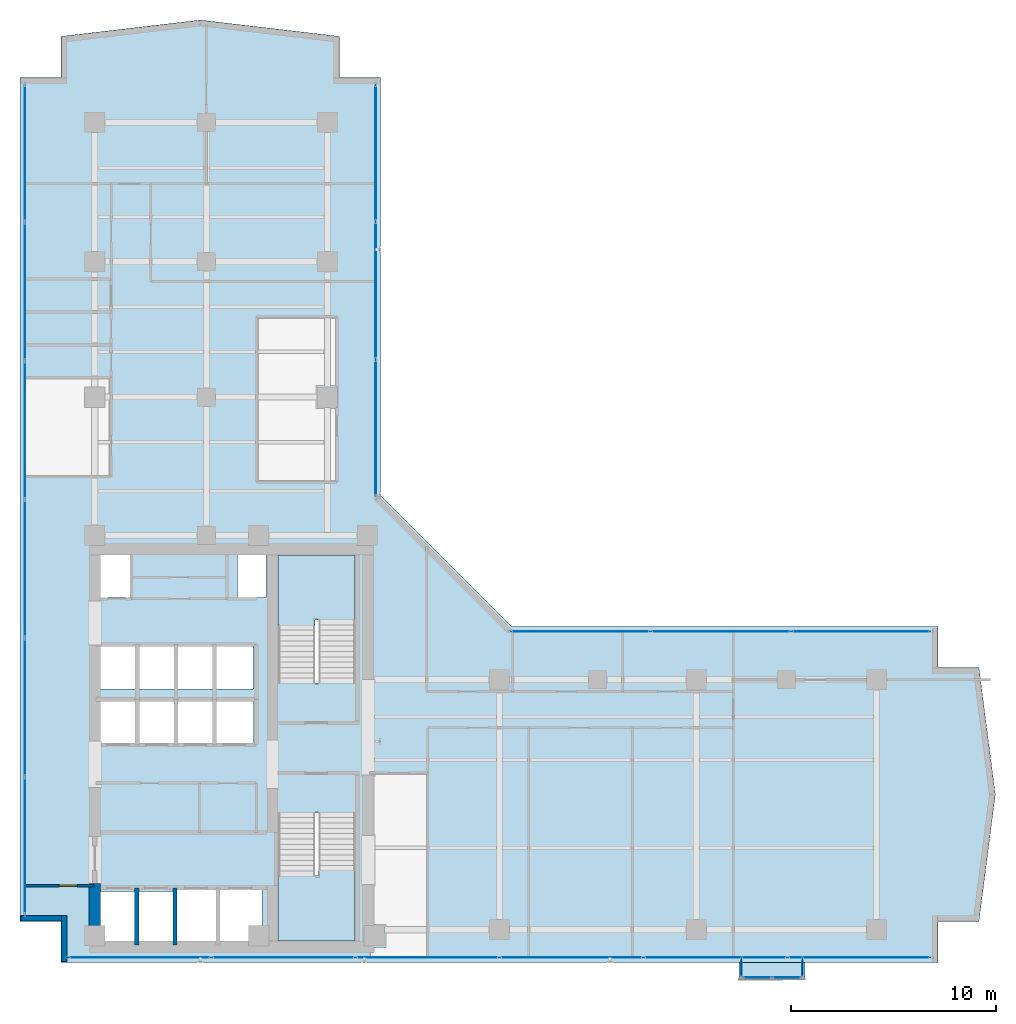
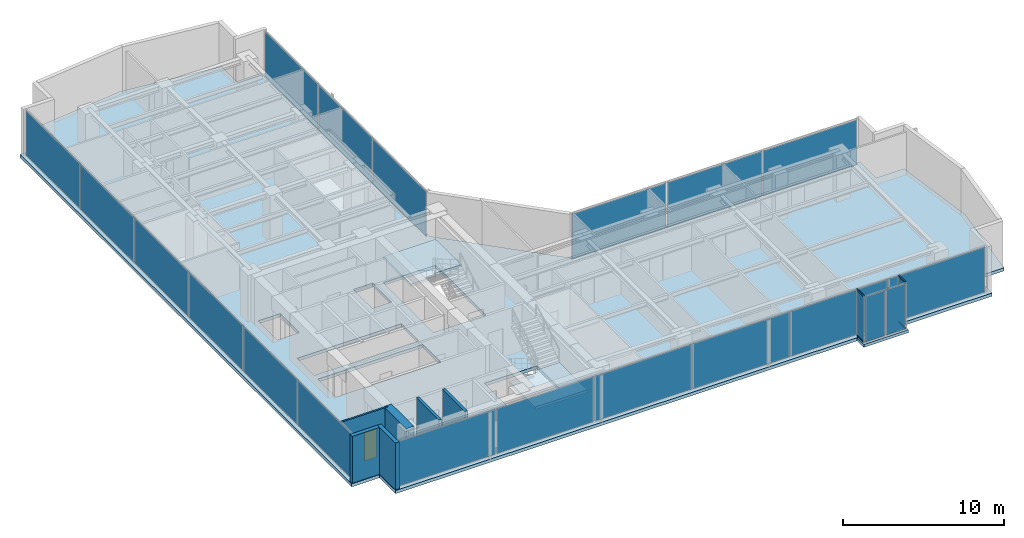
# One storey, part 15 of 23: 22 plates, 6 walls, 4 members, 4 slabs, 1 door, 1 opening, 9 elements without a shape of their own.
"""IFC4 building model written with IfcOpenShell, lengths in metres."""

from ifc_helpers import new_model, si_unit, direction, frame, frame_2d, origin, origin_with_axes, origin_2d, place, context, subcontext, project, spatial, polyline, rectangle, hollow_rectangle, outline, extrude, source, transform, mapped, material, layer, layer_set, material_profile, profile_set, type_object, element, fill, aggregate, save


model = new_model("IFC4")

# Units and contexts
model_context = context("Model", 3, precision=1e-05, world=origin(), true_north=direction((0.0, 1.0)))
body_context = subcontext(model_context, "Body", "Model", "MODEL_VIEW")
ifc_project = project(units=[si_unit("LENGTHUNIT", "METRE"), si_unit("AREAUNIT", "SQUARE_METRE"), si_unit("VOLUMEUNIT", "CUBIC_METRE"), si_unit("PLANEANGLEUNIT", "RADIAN"), si_unit("MASSUNIT", "GRAM", prefix="KILO")], contexts=[model_context])

# Site, building, storey
site_placement = place(None, origin())
site = spatial("IfcSite", under=ifc_project, at=site_placement, CompositionType="ELEMENT")
building_placement = place(site_placement, origin())
building = spatial("IfcBuilding", under=site, at=building_placement, Name="Kolvaren Waterfront Exchange", CompositionType="ELEMENT")
storey_placement = place(building_placement, frame((0.0, 0.0, 212.10009765625)))
storey = spatial("IfcBuildingStorey", under=building, at=storey_placement, Name="L54", CompositionType="ELEMENT", Elevation=212.10009765625)

# Curtain wall, members
ifc_material_1 = material(Name="Anodised bronze aluminium 6063-T6", Category="aluminium")
ifc_layer_1 = layer(ifc_material_1, 0.219970703125, Name="Anodised bronze aluminium 6063-T6")
ifc_layer_set_1 = layer_set([ifc_layer_1], Name="Anodised bronze aluminium 6063-T6")
curtain_wall_type_1 = type_object("IfcCurtainWallType", Name="ARC-CW-SYS3", PredefinedType="USERDEFINED", material=ifc_layer_set_1)
curtain_wall_1_placement = place(storey_placement, origin())
curtain_wall_1 = element("IfcCurtainWall", 1, at=curtain_wall_1_placement, inside=storey, type_object=curtain_wall_type_1, Name="L54 stick curtain wall CW3 (CW-L54-BOX-W)", ObjectType="STICK CURTAIN WALL", PredefinedType="USERDEFINED")
ifc_material_profile = material_profile(ifc_material_1, hollow_rectangle(XDim=0.06494140625, YDim=0.1298828125, WallThickness=0.00390625, at=origin_2d()), Name="ALU-TRN-130x65x4")
ifc_profile_set = profile_set([ifc_material_profile], Name="Anodised bronze aluminium 6063-T6")
member_type = type_object("IfcMemberType", Name="ARC-CWT-130", PredefinedType="USERDEFINED", material=ifc_profile_set)
shared_shape_1 = source(origin_with_axes(), body_context, "Body", "SweptSolid", [
    extrude(hollow_rectangle(XDim=0.06494140625, YDim=0.1298828125, WallThickness=0.00390625, at=origin_2d()), origin(), (0.0, 0.0, 1.0), 0.829833984375),
])
member_1_placement = place(storey_placement, frame((39.010009765625, 3.764892578125, 0.032470703125), z_axis=(0.0, -1.0, 0.0), x_axis=(1.0, 0.0, 0.0)))
member_1 = element("IfcMember", 2, at=member_1_placement, type_object=member_type, Name="CW3 transom 1.1", ObjectType="TRANSOM", PredefinedType="USERDEFINED", context=body_context, shape_type="MappedRepresentation", body=[
    mapped(shared_shape_1, transform((0.0, 0.0, 0.0), x_axis=(1.0, 0.0, 0.0), y_axis=(0.0, 1.0, 0.0), z_axis=(0.0, 0.0, 1.0), scale=1.0)),
])
member_2_placement = place(storey_placement, frame((39.010009765625, 3.764892578125, 3.52734375), z_axis=(0.0, -1.0, 0.0), x_axis=(1.0, 0.0, 0.0)))
member_2 = element("IfcMember", 3, at=member_2_placement, type_object=member_type, Name="CW3 transom 1.2", ObjectType="TRANSOM", PredefinedType="USERDEFINED", context=body_context, shape_type="MappedRepresentation", body=[
    mapped(shared_shape_1, transform((0.0, 0.0, 0.0), x_axis=(1.0, 0.0, 0.0), y_axis=(0.0, 1.0, 0.0), z_axis=(0.0, 0.0, 1.0), scale=1.0)),
])

curtain_wall_2_placement = place(storey_placement, origin())
curtain_wall_2 = element("IfcCurtainWall", 4, at=curtain_wall_2_placement, inside=storey, type_object=curtain_wall_type_1, Name="L54 stick curtain wall CW3 (CW-L54-BOX-E)", ObjectType="STICK CURTAIN WALL", PredefinedType="USERDEFINED")
member_3_placement = place(storey_placement, frame((41.989990234375, 2.93505859375, 0.032470703125), z_axis=(0.0, 1.0, 0.0), x_axis=(-1.0, 0.0, 0.0)))
member_3 = element("IfcMember", 5, at=member_3_placement, type_object=member_type, Name="CW3 transom 1.1", ObjectType="TRANSOM", PredefinedType="USERDEFINED", context=body_context, shape_type="MappedRepresentation", body=[
    mapped(shared_shape_1, transform((0.0, 0.0, 0.0), x_axis=(1.0, 0.0, 0.0), y_axis=(0.0, 1.0, 0.0), z_axis=(0.0, 0.0, 1.0), scale=1.0)),
])
member_4_placement = place(storey_placement, frame((41.989990234375, 2.93505859375, 3.52734375), z_axis=(0.0, 1.0, 0.0), x_axis=(-1.0, 0.0, 0.0)))
member_4 = element("IfcMember", 6, at=member_4_placement, type_object=member_type, Name="CW3 transom 1.2", ObjectType="TRANSOM", PredefinedType="USERDEFINED", context=body_context, shape_type="MappedRepresentation", body=[
    mapped(shared_shape_1, transform((0.0, 0.0, 0.0), x_axis=(1.0, 0.0, 0.0), y_axis=(0.0, 1.0, 0.0), z_axis=(0.0, 0.0, 1.0), scale=1.0)),
])

# Stair, slab
ifc_material_2 = material(Name="Concrete C40/50", Category="concrete")
stair_type = type_object("IfcStairType", Name="ARC-STAIR-3800", PredefinedType="HALF_TURN_STAIR", material=ifc_material_2)
stair_1_placement = place(storey_placement, origin())
stair_1 = element("IfcStair", 7, at=stair_1_placement, inside=storey, type_object=stair_type, Name="L54 Smoke-proof exit stair ST1", PredefinedType="HALF_TURN_STAIR")
ifc_layer_2 = layer(ifc_material_2, 0.199951171875, Name="Concrete C40/50")
ifc_layer_set_2 = layer_set([ifc_layer_2], Name="Concrete C40/50")
slab_type_1 = type_object("IfcSlabType", Name="STR-LANDING-200", PredefinedType="LANDING", material=ifc_layer_set_2)
slab_1_placement = place(storey_placement, frame((0.0, 0.0, 1.77587890625)))
slab_1 = element("IfcSlab", 8, at=slab_1_placement, type_object=slab_type_1, Name="ST1 landing 1", PredefinedType="LANDING", context=body_context, shape_type="SweptSolid", body=[
    extrude(outline(polyline([(16.39990234375, 7.840087890625), (16.39990234375, 4.64990234375), (20.159912109375, 4.64990234375), (20.159912109375, 8.10009765625), (18.360107421875, 8.10009765625), (18.360107421875, 7.840087890625), (16.39990234375, 7.840087890625)])), origin(), (0.0, 0.0, 1.0), 0.199951171875),
])
aggregate(stair_1, [slab_1])

stair_2_placement = place(storey_placement, origin())
stair_2 = element("IfcStair", 9, at=stair_2_placement, inside=storey, type_object=stair_type, Name="L54 Smoke-proof exit stair ST2", PredefinedType="HALF_TURN_STAIR")
slab_2_placement = place(storey_placement, frame((0.0, 0.0, 1.77587890625)))
slab_2 = element("IfcSlab", 10, at=slab_2_placement, type_object=slab_type_1, Name="ST2 landing 1", PredefinedType="LANDING", context=body_context, shape_type="SweptSolid", body=[
    extrude(outline(polyline([(20.159912109375, 20.31005859375), (20.159912109375, 23.5), (16.39990234375, 23.5), (16.39990234375, 20.050048828125), (18.199951171875, 20.050048828125), (18.199951171875, 20.31005859375), (20.159912109375, 20.31005859375)])), origin(), (0.0, 0.0, 1.0), 0.199951171875),
])
aggregate(stair_2, [slab_2])

# Slabs
ifc_layer_3 = layer(ifc_material_2, 0.239990234375, Name="Concrete C40/50")
ifc_layer_set_3 = layer_set([ifc_layer_3], Name="Concrete C40/50")
slab_type_2 = type_object("IfcSlabType", Name="STR-SLAB-240", PredefinedType="FLOOR", material=ifc_layer_set_3)
slab_3_placement = place(storey_placement, frame((0.0, 0.0, -0.239990234375)))
element("IfcSlab", 11, at=slab_3_placement, inside=storey, type_object=slab_type_2, Name="L54 structural floor slab", PredefinedType="FLOOR", context=body_context, shape_type="SweptSolid", body=[
    extrude(outline(polyline([(5.800048828125, 3.60009765625), (48.60009765625, 3.60009765625), (48.60009765625, 5.60009765625), (50.60009765625, 5.60009765625), (51.39990234375, 11.800048828125), (50.60009765625, 18.0), (48.60009765625, 18.0), (48.60009765625, 20.0), (27.800048828125, 20.0), (21.39990234375, 26.39990234375), (21.39990234375, 46.800048828125), (19.39990234375, 46.800048828125), (19.39990234375, 48.800048828125), (12.60009765625, 49.60009765625), (5.800048828125, 48.800048828125), (5.800048828125, 46.800048828125), (3.800048828125, 46.800048828125), (3.800048828125, 5.60009765625), (5.800048828125, 5.60009765625), (5.800048828125, 3.60009765625)]), holes=[polyline([(11.320068359375, 7.260009765625), (15.610107421875, 7.260009765625), (15.610107421875, 4.5400390625), (7.719970703125, 4.5400390625), (7.719970703125, 7.06005859375), (11.320068359375, 7.06005859375), (11.320068359375, 7.260009765625)]), polyline([(20.159912109375, 10.89990234375), (20.159912109375, 4.64990234375), (16.39990234375, 4.64990234375), (16.39990234375, 10.89990234375), (20.159912109375, 10.89990234375)]), polyline([(15.18505859375, 14.239990234375), (7.64501953125, 14.239990234375), (7.64501953125, 16.4599609375), (15.18505859375, 16.4599609375), (15.18505859375, 14.239990234375)]), polyline([(15.159912109375, 16.93994140625), (7.669921875, 16.93994140625), (7.669921875, 19.06005859375), (15.159912109375, 19.06005859375), (15.159912109375, 16.93994140625)]), polyline([(16.39990234375, 17.25), (16.39990234375, 23.5), (20.159912109375, 23.5), (20.159912109375, 17.25), (16.39990234375, 17.25)]), polyline([(7.60009765625, 23.780029296875), (9.179931640625, 23.780029296875), (9.179931640625, 21.419921875), (7.60009765625, 21.419921875), (7.60009765625, 23.780029296875)]), polyline([(14.419921875, 23.780029296875), (15.800048828125, 23.780029296875), (15.800048828125, 21.419921875), (14.419921875, 21.419921875), (14.419921875, 23.780029296875)])]), origin(), (0.0, 0.0, 1.0), 0.239990234375),
])
ifc_layer_4 = layer(ifc_material_2, 0.219970703125, Name="Concrete C40/50")
ifc_layer_set_4 = layer_set([ifc_layer_4], Name="Concrete C40/50")
slab_type_3 = type_object("IfcSlabType", Name="STR-TERR-220", PredefinedType="FLOOR", material=ifc_layer_set_4)
slab_4_placement = place(storey_placement, frame((0.0, 0.0, -0.22021484375)))
element("IfcSlab", 12, at=slab_4_placement, inside=storey, type_object=slab_type_3, Name="L54 projecting bay-box floor strip", PredefinedType="FLOOR", context=body_context, shape_type="SweptSolid", body=[
    extrude(outline(polyline([(38.89990234375, 2.75), (42.10009765625, 2.75), (42.10009765625, 3.60009765625), (38.89990234375, 3.60009765625), (38.89990234375, 2.75)])), origin(), (0.0, 0.0, 1.0), 0.22021484375),
])

# Plate
ifc_material_3 = material(Name="Bronze tinted bay-box vision glass", Category="aluminium")
ifc_layer_5 = layer(ifc_material_3, 0.02392578125, Name="Bronze tinted bay-box vision glass")
ifc_layer_set_5 = layer_set([ifc_layer_5], Name="Bronze tinted bay-box vision glass")
plate_type_1 = type_object("IfcPlateType", Name="ARC-CWP-24", PredefinedType="CURTAIN_PANEL", material=ifc_layer_set_5)
shared_shape_2 = source(origin_with_axes(), body_context, "Body", "SweptSolid", [
    extrude(rectangle(XDim=0.830078125, YDim=0.02392578125, at=origin_2d()), origin(), (0.0, 0.0, 1.0), 3.429931640625),
])
plate_1_placement = place(storey_placement, frame((39.010009765625, 3.35009765625, 0.06494140625), z_axis=(0.0, 0.0, 1.0), x_axis=(0.0, -1.0, 0.0)))
plate_1 = element("IfcPlate", 13, at=plate_1_placement, type_object=plate_type_1, Name="CW3 panel 1.1", PredefinedType="CURTAIN_PANEL", context=body_context, shape_type="MappedRepresentation", body=[
    mapped(shared_shape_2, transform((0.0, 0.0, 0.0), x_axis=(1.0, 0.0, 0.0), y_axis=(0.0, 1.0, 0.0), z_axis=(0.0, 0.0, 1.0), scale=1.0)),
])

aggregate(curtain_wall_1, [member_1, member_2, plate_1])

plate_2_placement = place(storey_placement, frame((41.989990234375, 3.35009765625, 0.06494140625), z_axis=(0.0, 0.0, 1.0), x_axis=(0.0, 1.0, 0.0)))
plate_2 = element("IfcPlate", 14, at=plate_2_placement, type_object=plate_type_1, Name="CW3 panel 1.1", PredefinedType="CURTAIN_PANEL", context=body_context, shape_type="MappedRepresentation", body=[
    mapped(shared_shape_2, transform((0.0, 0.0, 0.0), x_axis=(1.0, 0.0, 0.0), y_axis=(0.0, 1.0, 0.0), z_axis=(0.0, 0.0, 1.0), scale=1.0)),
])

aggregate(curtain_wall_2, [member_3, member_4, plate_2])

# Curtain wall, plates
curtain_wall_3_placement = place(storey_placement, origin())
curtain_wall_3 = element("IfcCurtainWall", 15, at=curtain_wall_3_placement, inside=storey, type_object=curtain_wall_type_1, Name="L54 stick curtain wall CW3 (CW-L54-BOX)", ObjectType="STICK CURTAIN WALL", PredefinedType="USERDEFINED")
shared_shape_3 = source(origin_with_axes(), body_context, "Body", "SweptSolid", [
    extrude(rectangle(XDim=1.37744140625, YDim=0.02392578125, at=origin_2d()), origin(), (0.0, 0.0, 1.0), 3.429931640625),
])
plate_3_placement = place(storey_placement, frame((39.773681640625, 2.860107421875, 0.06494140625), z_axis=(0.0, 0.0, 1.0), x_axis=(1.0, 0.0, 0.0)))
plate_3 = element("IfcPlate", 16, at=plate_3_placement, type_object=plate_type_1, Name="CW3 panel 1.1", PredefinedType="CURTAIN_PANEL", context=body_context, shape_type="MappedRepresentation", body=[
    mapped(shared_shape_3, transform((0.0, 0.0, 0.0), x_axis=(1.0, 0.0, 0.0), y_axis=(0.0, 1.0, 0.0), z_axis=(0.0, 0.0, 1.0), scale=1.0)),
])
plate_4_placement = place(storey_placement, frame((41.226318359375, 2.860107421875, 0.06494140625), z_axis=(0.0, 0.0, 1.0), x_axis=(1.0, 0.0, 0.0)))
plate_4 = element("IfcPlate", 17, at=plate_4_placement, type_object=plate_type_1, Name="CW3 panel 2.1", PredefinedType="CURTAIN_PANEL", context=body_context, shape_type="MappedRepresentation", body=[
    mapped(shared_shape_3, transform((0.0, 0.0, 0.0), x_axis=(1.0, 0.0, 0.0), y_axis=(0.0, 1.0, 0.0), z_axis=(0.0, 0.0, 1.0), scale=1.0)),
])
aggregate(curtain_wall_3, [plate_3, plate_4])

ifc_material_4 = material(Name="Anodised aluminium 6063-T6", Category="aluminium")
ifc_layer_6 = layer(ifc_material_4, 0.219970703125, Name="Anodised aluminium 6063-T6")
ifc_layer_set_6 = layer_set([ifc_layer_6], Name="Anodised aluminium 6063-T6")
curtain_wall_type_2 = type_object("IfcCurtainWallType", Name="ARC-CW-SYS2", PredefinedType="USERDEFINED", material=ifc_layer_set_6)
curtain_wall_4_placement = place(storey_placement, origin())
curtain_wall_4 = element("IfcCurtainWall", 18, at=curtain_wall_4_placement, inside=storey, type_object=curtain_wall_type_2, Name="L54 stick curtain wall CW2 (CW-L54-W)", ObjectType="STICK CURTAIN WALL", PredefinedType="USERDEFINED")
ifc_material_5 = material(Name="Acoustic laminated vision glass", Category="glass")
ifc_layer_7 = layer(ifc_material_5, 0.031982421875, Name="Acoustic laminated vision glass")
ifc_layer_set_7 = layer_set([ifc_layer_7], Name="Acoustic laminated vision glass")
plate_type_2 = type_object("IfcPlateType", Name="ARC-CWP-32", PredefinedType="CURTAIN_PANEL", material=ifc_layer_set_7)
shared_shape_4 = source(origin_with_axes(), body_context, "Body", "SweptSolid", [
    extrude(rectangle(XDim=6.646728515625, YDim=0.031982421875, at=origin_2d()), origin(), (0.0, 0.0, 1.0), 3.409912109375),
])
plate_5_placement = place(storey_placement, frame((4.0400390625, 9.30322265625, 0.07470703125), z_axis=(0.0, 0.0, 1.0), x_axis=(0.0, 1.0, 0.0)))
plate_5 = element("IfcPlate", 19, at=plate_5_placement, type_object=plate_type_2, Name="CW2 panel 1.1", PredefinedType="CURTAIN_PANEL", context=body_context, shape_type="MappedRepresentation", body=[
    mapped(shared_shape_4, transform((0.0, 0.0, 0.0), x_axis=(1.0, 0.0, 0.0), y_axis=(0.0, 1.0, 0.0), z_axis=(0.0, 0.0, 1.0), scale=1.0)),
])
plate_6_placement = place(storey_placement, frame((4.0400390625, 43.0966796875, 0.07470703125), z_axis=(0.0, 0.0, 1.0), x_axis=(0.0, 1.0, 0.0)))
plate_6 = element("IfcPlate", 20, at=plate_6_placement, type_object=plate_type_2, Name="CW2 panel 6.1", PredefinedType="CURTAIN_PANEL", context=body_context, shape_type="MappedRepresentation", body=[
    mapped(shared_shape_4, transform((0.0, 0.0, 0.0), x_axis=(1.0, 0.0, 0.0), y_axis=(0.0, 1.0, 0.0), z_axis=(0.0, 0.0, 1.0), scale=1.0)),
])
shared_shape_5 = source(origin_with_axes(), body_context, "Body", "SweptSolid", [
    extrude(rectangle(XDim=6.686767578125, YDim=0.031982421875, at=origin_2d()), origin(), (0.0, 0.0, 1.0), 3.409912109375),
])
plate_7_placement = place(storey_placement, frame((4.0400390625, 16.050048828125, 0.07470703125), z_axis=(0.0, 0.0, 1.0), x_axis=(0.0, 1.0, 0.0)))
plate_7 = element("IfcPlate", 21, at=plate_7_placement, type_object=plate_type_2, Name="CW2 panel 2.1", PredefinedType="CURTAIN_PANEL", context=body_context, shape_type="MappedRepresentation", body=[
    mapped(shared_shape_5, transform((0.0, 0.0, 0.0), x_axis=(1.0, 0.0, 0.0), y_axis=(0.0, 1.0, 0.0), z_axis=(0.0, 0.0, 1.0), scale=1.0)),
])
plate_8_placement = place(storey_placement, frame((4.0400390625, 22.816650390625, 0.07470703125), z_axis=(0.0, 0.0, 1.0), x_axis=(0.0, 1.0, 0.0)))
plate_8 = element("IfcPlate", 22, at=plate_8_placement, type_object=plate_type_2, Name="CW2 panel 3.1", PredefinedType="CURTAIN_PANEL", context=body_context, shape_type="MappedRepresentation", body=[
    mapped(shared_shape_5, transform((0.0, 0.0, 0.0), x_axis=(1.0, 0.0, 0.0), y_axis=(0.0, 1.0, 0.0), z_axis=(0.0, 0.0, 1.0), scale=1.0)),
])
plate_9_placement = place(storey_placement, frame((4.0400390625, 29.583251953125, 0.07470703125), z_axis=(0.0, 0.0, 1.0), x_axis=(0.0, 1.0, 0.0)))
plate_9 = element("IfcPlate", 23, at=plate_9_placement, type_object=plate_type_2, Name="CW2 panel 4.1", PredefinedType="CURTAIN_PANEL", context=body_context, shape_type="MappedRepresentation", body=[
    mapped(shared_shape_5, transform((0.0, 0.0, 0.0), x_axis=(1.0, 0.0, 0.0), y_axis=(0.0, 1.0, 0.0), z_axis=(0.0, 0.0, 1.0), scale=1.0)),
])
plate_10_placement = place(storey_placement, frame((4.0400390625, 36.35009765625, 0.07470703125), z_axis=(0.0, 0.0, 1.0), x_axis=(0.0, 1.0, 0.0)))
plate_10 = element("IfcPlate", 24, at=plate_10_placement, type_object=plate_type_2, Name="CW2 panel 5.1", PredefinedType="CURTAIN_PANEL", context=body_context, shape_type="MappedRepresentation", body=[
    mapped(shared_shape_5, transform((0.0, 0.0, 0.0), x_axis=(1.0, 0.0, 0.0), y_axis=(0.0, 1.0, 0.0), z_axis=(0.0, 0.0, 1.0), scale=1.0)),
])
aggregate(curtain_wall_4, [plate_5, plate_7, plate_8, plate_9, plate_10, plate_6])

ifc_layer_8 = layer(ifc_material_1, 0.219970703125, Name="Anodised bronze aluminium 6063-T6")
ifc_layer_set_8 = layer_set([ifc_layer_8], Name="Anodised bronze aluminium 6063-T6")
curtain_wall_type_3 = type_object("IfcCurtainWallType", Name="ARC-CW-SYS1", PredefinedType="USERDEFINED", material=ifc_layer_set_8)
curtain_wall_5_placement = place(storey_placement, origin())
curtain_wall_5 = element("IfcCurtainWall", 25, at=curtain_wall_5_placement, inside=storey, type_object=curtain_wall_type_3, Name="L54 stick curtain wall CW1 (CW-L54-S)", ObjectType="STICK CURTAIN WALL", PredefinedType="USERDEFINED")
ifc_material_6 = material(Name="Bronze solar control vision glass", Category="aluminium")
ifc_layer_9 = layer(ifc_material_6, 0.028076171875, Name="Bronze solar control vision glass")
ifc_layer_set_9 = layer_set([ifc_layer_9], Name="Bronze solar control vision glass")
plate_type_3 = type_object("IfcPlateType", Name="ARC-CWP-28", PredefinedType="CURTAIN_PANEL", material=ifc_layer_set_9)
shared_shape_6 = source(origin_with_axes(), body_context, "Body", "SweptSolid", [
    extrude(rectangle(XDim=6.913330078125, YDim=0.028076171875, at=origin_2d()), origin(), (0.0, 0.0, 1.0), 3.409912109375),
])
plate_11_placement = place(storey_placement, frame((9.63671875, 3.840087890625, 0.07470703125), z_axis=(0.0, 0.0, 1.0), x_axis=(1.0, 0.0, 0.0)))
plate_11 = element("IfcPlate", 26, at=plate_11_placement, type_object=plate_type_3, Name="CW1 panel 1.1", PredefinedType="CURTAIN_PANEL", context=body_context, shape_type="MappedRepresentation", body=[
    mapped(shared_shape_6, transform((0.0, 0.0, 0.0), x_axis=(1.0, 0.0, 0.0), y_axis=(0.0, 1.0, 0.0), z_axis=(0.0, 0.0, 1.0), scale=1.0)),
])
plate_12_placement = place(storey_placement, frame((44.763427734375, 3.840087890625, 0.07470703125), z_axis=(0.0, 0.0, 1.0), x_axis=(1.0, 0.0, 0.0)))
plate_12 = element("IfcPlate", 27, at=plate_12_placement, type_object=plate_type_3, Name="CW1 panel 6.1", PredefinedType="CURTAIN_PANEL", context=body_context, shape_type="MappedRepresentation", body=[
    mapped(shared_shape_6, transform((0.0, 0.0, 0.0), x_axis=(1.0, 0.0, 0.0), y_axis=(0.0, 1.0, 0.0), z_axis=(0.0, 0.0, 1.0), scale=1.0)),
])
shared_shape_7 = source(origin_with_axes(), body_context, "Body", "SweptSolid", [
    extrude(rectangle(XDim=6.953369140625, YDim=0.028076171875, at=origin_2d()), origin(), (0.0, 0.0, 1.0), 3.409912109375),
])
plate_13_placement = place(storey_placement, frame((16.64990234375, 3.840087890625, 0.07470703125), z_axis=(0.0, 0.0, 1.0), x_axis=(1.0, 0.0, 0.0)))
plate_13 = element("IfcPlate", 28, at=plate_13_placement, type_object=plate_type_3, Name="CW1 panel 2.1", PredefinedType="CURTAIN_PANEL", context=body_context, shape_type="MappedRepresentation", body=[
    mapped(shared_shape_7, transform((0.0, 0.0, 0.0), x_axis=(1.0, 0.0, 0.0), y_axis=(0.0, 1.0, 0.0), z_axis=(0.0, 0.0, 1.0), scale=1.0)),
])
plate_14_placement = place(storey_placement, frame((23.683349609375, 3.840087890625, 0.07470703125), z_axis=(0.0, 0.0, 1.0), x_axis=(1.0, 0.0, 0.0)))
plate_14 = element("IfcPlate", 29, at=plate_14_placement, type_object=plate_type_3, Name="CW1 panel 3.1", PredefinedType="CURTAIN_PANEL", context=body_context, shape_type="MappedRepresentation", body=[
    mapped(shared_shape_7, transform((0.0, 0.0, 0.0), x_axis=(1.0, 0.0, 0.0), y_axis=(0.0, 1.0, 0.0), z_axis=(0.0, 0.0, 1.0), scale=1.0)),
])
plate_15_placement = place(storey_placement, frame((30.716552734375, 3.840087890625, 0.07470703125), z_axis=(0.0, 0.0, 1.0), x_axis=(1.0, 0.0, 0.0)))
plate_15 = element("IfcPlate", 30, at=plate_15_placement, type_object=plate_type_3, Name="CW1 panel 4.1", PredefinedType="CURTAIN_PANEL", context=body_context, shape_type="MappedRepresentation", body=[
    mapped(shared_shape_7, transform((0.0, 0.0, 0.0), x_axis=(1.0, 0.0, 0.0), y_axis=(0.0, 1.0, 0.0), z_axis=(0.0, 0.0, 1.0), scale=1.0)),
])
plate_16_placement = place(storey_placement, frame((37.75, 3.840087890625, 0.07470703125), z_axis=(0.0, 0.0, 1.0), x_axis=(1.0, 0.0, 0.0)))
plate_16 = element("IfcPlate", 31, at=plate_16_placement, type_object=plate_type_3, Name="CW1 panel 5.1", PredefinedType="CURTAIN_PANEL", context=body_context, shape_type="MappedRepresentation", body=[
    mapped(shared_shape_7, transform((0.0, 0.0, 0.0), x_axis=(1.0, 0.0, 0.0), y_axis=(0.0, 1.0, 0.0), z_axis=(0.0, 0.0, 1.0), scale=1.0)),
])
aggregate(curtain_wall_5, [plate_11, plate_13, plate_14, plate_15, plate_16, plate_12])

curtain_wall_6_placement = place(storey_placement, origin())
curtain_wall_6 = element("IfcCurtainWall", 32, at=curtain_wall_6_placement, inside=storey, type_object=curtain_wall_type_3, Name="L54 stick curtain wall CW1 (CW-L54-NE)", ObjectType="STICK CURTAIN WALL", PredefinedType="USERDEFINED")
shared_shape_8 = source(origin_with_axes(), body_context, "Body", "SweptSolid", [
    extrude(rectangle(XDim=6.61669921875, YDim=0.028076171875, at=origin_2d()), origin(), (0.0, 0.0, 1.0), 3.409912109375),
])
plate_17_placement = place(storey_placement, frame((21.159912109375, 29.67822265625, 0.07470703125), z_axis=(0.0, 0.0, 1.0), x_axis=(0.0, 1.0, 0.0)))
plate_17 = element("IfcPlate", 33, at=plate_17_placement, type_object=plate_type_3, Name="CW1 panel 1.1", PredefinedType="CURTAIN_PANEL", context=body_context, shape_type="MappedRepresentation", body=[
    mapped(shared_shape_8, transform((0.0, 0.0, 0.0), x_axis=(1.0, 0.0, 0.0), y_axis=(0.0, 1.0, 0.0), z_axis=(0.0, 0.0, 1.0), scale=1.0)),
])
plate_18_placement = place(storey_placement, frame((21.159912109375, 43.111572265625, 0.07470703125), z_axis=(0.0, 0.0, 1.0), x_axis=(0.0, 1.0, 0.0)))
plate_18 = element("IfcPlate", 34, at=plate_18_placement, type_object=plate_type_3, Name="CW1 panel 3.1", PredefinedType="CURTAIN_PANEL", context=body_context, shape_type="MappedRepresentation", body=[
    mapped(shared_shape_8, transform((0.0, 0.0, 0.0), x_axis=(1.0, 0.0, 0.0), y_axis=(0.0, 1.0, 0.0), z_axis=(0.0, 0.0, 1.0), scale=1.0)),
])
shared_shape_9 = source(origin_with_axes(), body_context, "Body", "SweptSolid", [
    extrude(rectangle(XDim=6.65673828125, YDim=0.028076171875, at=origin_2d()), origin(), (0.0, 0.0, 1.0), 3.409912109375),
])
plate_19_placement = place(storey_placement, frame((21.159912109375, 36.39501953125, 0.07470703125), z_axis=(0.0, 0.0, 1.0), x_axis=(0.0, 1.0, 0.0)))
plate_19 = element("IfcPlate", 35, at=plate_19_placement, type_object=plate_type_3, Name="CW1 panel 2.1", PredefinedType="CURTAIN_PANEL", context=body_context, shape_type="MappedRepresentation", body=[
    mapped(shared_shape_9, transform((0.0, 0.0, 0.0), x_axis=(1.0, 0.0, 0.0), y_axis=(0.0, 1.0, 0.0), z_axis=(0.0, 0.0, 1.0), scale=1.0)),
])
aggregate(curtain_wall_6, [plate_17, plate_19, plate_18])

curtain_wall_7_placement = place(storey_placement, origin())
curtain_wall_7 = element("IfcCurtainWall", 36, at=curtain_wall_7_placement, inside=storey, type_object=curtain_wall_type_3, Name="L54 stick curtain wall CW1 (CW-L54-EN)", ObjectType="STICK CURTAIN WALL", PredefinedType="USERDEFINED")
shared_shape_10 = source(origin_with_axes(), body_context, "Body", "SweptSolid", [
    extrude(rectangle(XDim=6.75, YDim=0.028076171875, at=origin_2d()), origin(), (0.0, 0.0, 1.0), 3.409912109375),
])
plate_20_placement = place(storey_placement, frame((31.14501953125, 19.760009765625, 0.07470703125), z_axis=(0.0, 0.0, 1.0), x_axis=(1.0, 0.0, 0.0)))
plate_20 = element("IfcPlate", 37, at=plate_20_placement, type_object=plate_type_3, Name="CW1 panel 1.1", PredefinedType="CURTAIN_PANEL", context=body_context, shape_type="MappedRepresentation", body=[
    mapped(shared_shape_10, transform((0.0, 0.0, 0.0), x_axis=(1.0, 0.0, 0.0), y_axis=(0.0, 1.0, 0.0), z_axis=(0.0, 0.0, 1.0), scale=1.0)),
])
plate_21_placement = place(storey_placement, frame((44.844970703125, 19.760009765625, 0.07470703125), z_axis=(0.0, 0.0, 1.0), x_axis=(1.0, 0.0, 0.0)))
plate_21 = element("IfcPlate", 38, at=plate_21_placement, type_object=plate_type_3, Name="CW1 panel 3.1", PredefinedType="CURTAIN_PANEL", context=body_context, shape_type="MappedRepresentation", body=[
    mapped(shared_shape_10, transform((0.0, 0.0, 0.0), x_axis=(1.0, 0.0, 0.0), y_axis=(0.0, 1.0, 0.0), z_axis=(0.0, 0.0, 1.0), scale=1.0)),
])
shared_shape_11 = source(origin_with_axes(), body_context, "Body", "SweptSolid", [
    extrude(rectangle(XDim=6.7900390625, YDim=0.028076171875, at=origin_2d()), origin(), (0.0, 0.0, 1.0), 3.409912109375),
])
plate_22_placement = place(storey_placement, frame((37.9951171875, 19.760009765625, 0.07470703125), z_axis=(0.0, 0.0, 1.0), x_axis=(1.0, 0.0, 0.0)))
plate_22 = element("IfcPlate", 39, at=plate_22_placement, type_object=plate_type_3, Name="CW1 panel 2.1", PredefinedType="CURTAIN_PANEL", context=body_context, shape_type="MappedRepresentation", body=[
    mapped(shared_shape_11, transform((0.0, 0.0, 0.0), x_axis=(1.0, 0.0, 0.0), y_axis=(0.0, 1.0, 0.0), z_axis=(0.0, 0.0, 1.0), scale=1.0)),
])
aggregate(curtain_wall_7, [plate_20, plate_22, plate_21])

# Walls
ifc_material_7 = material(Name="Precast concrete C40/50", Category="concrete")
ifc_layer_10 = layer(ifc_material_7, 0.280029296875, Name="Precast concrete C40/50")
ifc_layer_set_10 = layer_set([ifc_layer_10], Name="Precast concrete C40/50")
wall_type_1 = type_object("IfcWallType", Name="ARC-EXT-TERR-280", PredefinedType="SOLIDWALL", material=ifc_layer_set_10)
wall_1_placement = place(storey_placement, frame((5.9599609375, 3.659912109375, 0.0), z_axis=(0.0, 0.0, 1.0), x_axis=(0.0, 1.0, 0.0)))
element("IfcWall", 40, at=wall_1_placement, inside=storey, type_object=wall_type_1, Name="L54 notched corner spandrel pier SW-A", PredefinedType="SOLIDWALL", context=body_context, shape_type="SweptSolid", body=[
    extrude(rectangle(XDim=2.239990234375, YDim=0.280029296875, at=frame_2d((1.1201171875, 0.0))), origin(), (0.0, 0.0, 1.0), 3.559814453125),
])
wall_2_placement = place(storey_placement, frame((3.860107421875, 5.760009765625, 0.0), z_axis=(0.0, 0.0, 1.0), x_axis=(1.0, 0.0, 0.0)))
element("IfcWall", 41, at=wall_2_placement, inside=storey, type_object=wall_type_1, Name="L54 notched corner spandrel pier SW-B", PredefinedType="SOLIDWALL", context=body_context, shape_type="SweptSolid", body=[
    extrude(rectangle(XDim=1.9599609375, YDim=0.280029296875, at=frame_2d((0.97998046875, 0.0))), origin(), (0.0, 0.0, 1.0), 3.559814453125),
])

# Wall, opening, door
ifc_material_8 = material(Name="Acoustic gypsum steel stud", Category="steel")
ifc_layer_11 = layer(ifc_material_8, 0.125, Name="Acoustic gypsum steel stud")
ifc_layer_set_11 = layer_set([ifc_layer_11], Name="Acoustic gypsum steel stud")
wall_type_2 = type_object("IfcWallType", Name="ARC-PART-125", PredefinedType="PARTITIONING", material=ifc_layer_set_11)
wall_3_placement = place(storey_placement, frame((4.0400390625, 7.35009765625, 0.0), z_axis=(0.0, 0.0, 1.0), x_axis=(1.0, 0.0, 0.0)))
wall_3 = element("IfcWall", 42, at=wall_3_placement, inside=storey, type_object=wall_type_2, Name="L54 interior wall PW-L54-SWC-N", PredefinedType="PARTITIONING", context=body_context, shape_type="SweptSolid", body=[
    extrude(rectangle(XDim=3.35986328125, YDim=0.125, at=frame_2d((1.679931640625, 0.0))), origin(), (0.0, 0.0, 1.0), 3.559814453125),
])
opening_placement = place(wall_3_placement, frame((1.686767578125, 0.0, 0.0)))
opening = element("IfcOpeningElement", 43, at=opening_placement, cuts=wall_3, Name="Opening D01", PredefinedType="OPENING", context=body_context, shape_type="SweptSolid", body=[
    extrude(rectangle(XDim=0.85009765625, YDim=2.14990234375, at=frame_2d((0.425048828125, 1.074951171875))), frame((0.0, 0.072509765625, 0.0), z_axis=(0.0, -1.0, 0.0), x_axis=(1.0, 0.0, 0.0)), (0.0, 0.0, 1.0), 0.14501953125),
])
ifc_material_9 = material(Name="Oak veneer timber leaf", Category="wood")
door_type = type_object("IfcDoorType", Name="ARC-DR-900", OperationType="NOTDEFINED", PredefinedType="DOOR", material=ifc_material_9)
door_placement = place(opening_placement, origin())
door = element("IfcDoor", 44, at=door_placement, inside=storey, type_object=door_type, Name="L54 door DR-L54-SWC-D (D01)", OperationType="SINGLE_SWING_LEFT", OverallHeight=2.14990234375, OverallWidth=0.85009765625, PredefinedType="DOOR", context=body_context, shape_type="SweptSolid", body=[
    extrude(rectangle(XDim=0.85009765625, YDim=2.14990234375, at=frame_2d((0.425048828125, 1.074951171875))), frame((0.0, 0.02490234375, 0.0), z_axis=(0.0, -1.0, 0.0), x_axis=(1.0, 0.0, 0.0)), (0.0, 0.0, 1.0), 0.050048828125),
])
fill(opening, door)

# Walls
ifc_layer_12 = layer(ifc_material_2, 0.199951171875, Name="Concrete C40/50")
ifc_layer_set_12 = layer_set([ifc_layer_12], Name="Concrete C40/50")
wall_type_3 = type_object("IfcWallType", Name="ARC-SHAFT-200", PredefinedType="PARTITIONING", material=ifc_layer_set_12)
for number, where, z_axis, x_axis, name in (
    (45, (9.5, 4.449951171875, 0.0), (0.0, 0.0, 1.0), (0.0, 1.0, 0.0), "L54 interior wall PW-L54-SH1-DIV-95"),
    (46, (11.360107421875, 4.449951171875, 0.0), (0.0, 0.0, 1.0), (0.0, 1.0, 0.0), "L54 interior wall PW-L54-SH1-DIV-113"),
):
    element("IfcWall", number, at=place(storey_placement, frame(where, z_axis=z_axis, x_axis=x_axis)), inside=storey, type_object=wall_type_3, Name=name, PredefinedType="PARTITIONING", context=body_context, shape_type="SweptSolid", body=[
        extrude(rectangle(XDim=2.800048828125, YDim=0.199951171875, at=frame_2d((1.39990234375, 0.0))), origin(), (0.0, 0.0, 1.0), 3.559814453125),
    ])
ifc_material_10 = material(Name="Concrete C50/60", Category="concrete")
ifc_layer_13 = layer(ifc_material_10, 0.550048828125, Name="Concrete C50/60")
ifc_layer_set_13 = layer_set([ifc_layer_13], Name="Concrete C50/60")
wall_type_4 = type_object("IfcWallType", Name="STR-CWALL-550", PredefinedType="SHEAR", material=ifc_layer_set_13)
wall_4_placement = place(storey_placement, frame((7.449951171875, 4.64990234375, 0.0), z_axis=(0.0, 0.0, 1.0), x_axis=(0.0, 1.0, 0.0)))
element("IfcWall", 47, at=wall_4_placement, inside=storey, type_object=wall_type_4, Name="L54 rear-core shear wall W1", PredefinedType="SHEAR", context=body_context, shape_type="SweptSolid", body=[
    extrude(rectangle(XDim=2.800048828125, YDim=0.550048828125, at=frame_2d((1.39990234375, 0.0))), origin(), (0.0, 0.0, 1.0), 3.559814453125),
])

save(model, "model.ifc")
